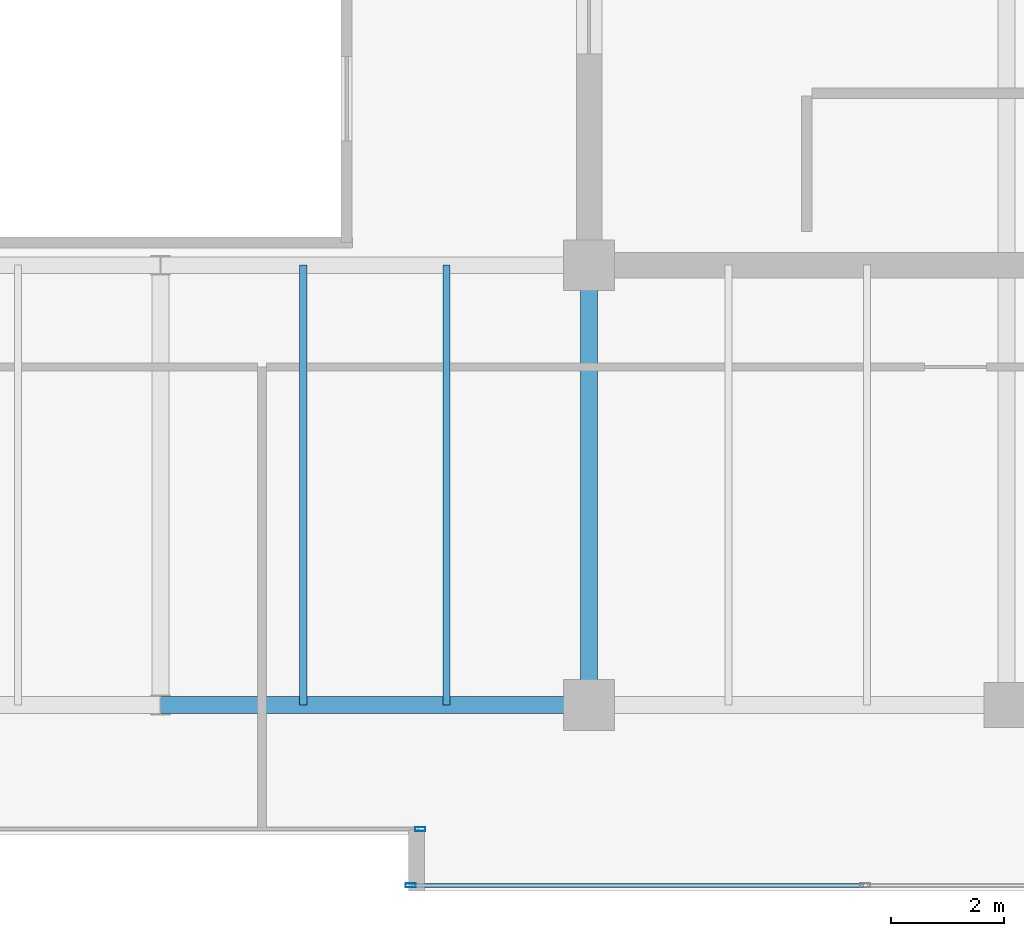
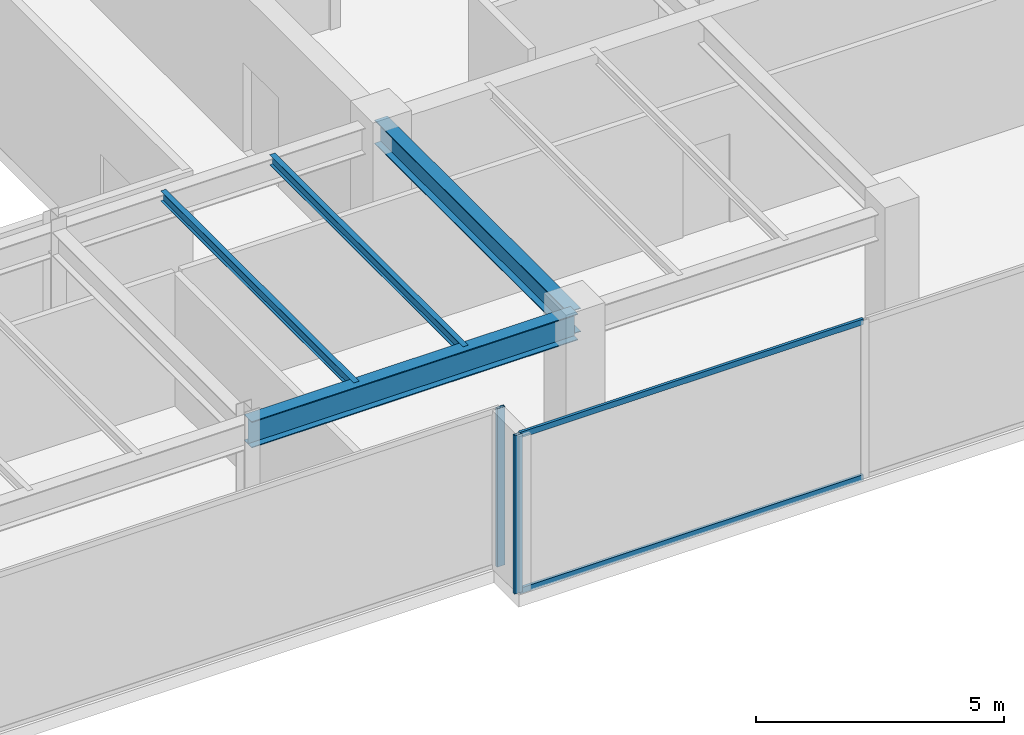
# One storey, part 12 of 31: 4 beams, 4 members, 2 elements without a shape of their own.
"""IFC4 building model written with IfcOpenShell, lengths in metres."""

from ifc_helpers import new_model, si_unit, direction, frame, origin, origin_2d, place, context, subcontext, project, spatial, hollow_rectangle, i_section, extrude, source, transform, mapped, material, layer, layer_set, material_profile, profile_set, type_object, type_shapes, element, aggregate, save


model = new_model("IFC4")

# Units and contexts
model_context = context("Model", 3, precision=1e-05, world=origin(), true_north=direction((0.0, 1.0)))
body_context = subcontext(model_context, "Body", "Model", "MODEL_VIEW")
ifc_project = project(units=[si_unit("LENGTHUNIT", "METRE"), si_unit("AREAUNIT", "SQUARE_METRE"), si_unit("VOLUMEUNIT", "CUBIC_METRE"), si_unit("PLANEANGLEUNIT", "RADIAN"), si_unit("MASSUNIT", "GRAM", prefix="KILO")], contexts=[model_context])

# Site, building, storey
site_placement = place(None, origin())
site = spatial("IfcSite", under=ifc_project, at=site_placement, CompositionType="ELEMENT")
building_placement = place(site_placement, origin())
building = spatial("IfcBuilding", under=site, at=building_placement, Name="Haelvirn Gate Laboratories", CompositionType="ELEMENT")
storey_placement = place(building_placement, frame((0.0, 0.0, 318.60009765625)))
storey = spatial("IfcBuildingStorey", under=building, at=storey_placement, Name="L76", CompositionType="ELEMENT", Elevation=318.60009765625)

# Beams
ifc_material_1 = material(Name="Steel SM355", Category="steel")
ifc_material_profile_1 = material_profile(ifc_material_1, i_section(OverallWidth=0.300048828125, OverallDepth=0.587890625, WebThickness=0.011962890625, FlangeThickness=0.02001953125, at=origin_2d()), Name="H-588x300x12x20")
ifc_profile_set_1 = profile_set([ifc_material_profile_1], Name="Steel SM355")
beam_type_1 = type_object("IfcBeamType", Name="BM-G-588", PredefinedType="BEAM", material=ifc_profile_set_1)
shared_shape_1 = source(origin(), body_context, "Body", "SweptSolid", [
    extrude(i_section(OverallWidth=0.300048828125, OverallDepth=0.587890625, WebThickness=0.011962890625, FlangeThickness=0.02001953125, at=origin_2d()), origin(), (0.0, 0.0, 1.0), 7.800048828125),
])
type_shapes(beam_type_1, [shared_shape_1])
beam_1_placement = place(storey_placement, frame((52.60009765625, 7.0, 3.60595703125), z_axis=(0.0, 1.0, 0.0), x_axis=(-1.0, 0.0, 0.0)))
element("IfcBeam", 1, at=beam_1_placement, inside=storey, type_object=beam_type_1, Name="L76 Frame Girder X52.6 (7.0-14.8)", PredefinedType="BEAM", context=body_context, shape_type="MappedRepresentation", body=[
    mapped(shared_shape_1, transform((0.0, 0.0, 0.0), scale=1.0)),
])
ifc_material_profile_2 = material_profile(ifc_material_1, i_section(OverallWidth=0.300048828125, OverallDepth=0.64990234375, WebThickness=0.012939453125, FlangeThickness=0.02197265625, at=origin_2d()), Name="H-650x300x13x22")
ifc_profile_set_2 = profile_set([ifc_material_profile_2], Name="Steel SM355")
beam_type_2 = type_object("IfcBeamType", Name="BM-G-650", PredefinedType="BEAM", material=ifc_profile_set_2)
shared_shape_2 = source(origin(), body_context, "Body", "SweptSolid", [
    extrude(i_section(OverallWidth=0.300048828125, OverallDepth=0.64990234375, WebThickness=0.012939453125, FlangeThickness=0.02197265625, at=origin_2d()), origin(), (0.0, 0.0, 1.0), 7.60009765625),
])
type_shapes(beam_type_2, [shared_shape_2])
beam_2_placement = place(storey_placement, frame((45.0, 7.0, 3.574951171875), z_axis=(1.0, 0.0, 0.0), x_axis=(0.0, 1.0, 0.0)))
element("IfcBeam", 2, at=beam_2_placement, inside=storey, type_object=beam_type_2, Name="L76 Primary Girder Y7.0 (45.0-52.6)", PredefinedType="BEAM", context=body_context, shape_type="MappedRepresentation", body=[
    mapped(shared_shape_2, transform((0.0, 0.0, 0.0), scale=1.0)),
])
ifc_material_profile_3 = material_profile(ifc_material_1, i_section(OverallWidth=0.125, OverallDepth=0.25, WebThickness=0.006103515625, FlangeThickness=0.009033203125, at=origin_2d()), Name="H-250x125x6x9")
ifc_profile_set_3 = profile_set([ifc_material_profile_3], Name="Steel SM355")
beam_type_3 = type_object("IfcBeamType", Name="BM-J-250", PredefinedType="JOIST", material=ifc_profile_set_3)
shared_shape_3 = source(origin(), body_context, "Body", "SweptSolid", [
    extrude(i_section(OverallWidth=0.125, OverallDepth=0.25, WebThickness=0.006103515625, FlangeThickness=0.009033203125, at=origin_2d()), origin(), (0.0, 0.0, 1.0), 7.800048828125),
])
type_shapes(beam_type_3, [shared_shape_3])
for number, where, z_axis, x_axis, name in (
    (3, (47.530029296875, 7.0, 3.77490234375), (0.0, 1.0, 0.0), (-1.0, 0.0, 0.0), "L76 Composite Lab Joist South X47.53"),
    (4, (50.070068359375, 7.0, 3.77490234375), (0.0, 1.0, 0.0), (-1.0, 0.0, 0.0), "L76 Composite Lab Joist South X50.07"),
):
    element("IfcBeam", number, at=place(storey_placement, frame(where, z_axis=z_axis, x_axis=x_axis)), inside=storey, type_object=beam_type_3, Name=name, PredefinedType="JOIST", context=body_context, shape_type="MappedRepresentation", body=[
        mapped(shared_shape_3, transform((0.0, 0.0, 0.0), scale=1.0)),
    ])

# Curtain wall, member
ifc_material_2 = material(Name="Anodised bronze unitised aluminium & triple low-E glass", Category="aluminium")
ifc_layer = layer(ifc_material_2, 0.176025390625, Name="CW-SYS-4")
ifc_layer_set = layer_set([ifc_layer], Name="Anodised bronze unitised aluminium & triple low-E glass")
curtain_wall_type = type_object("IfcCurtainWallType", Name="CW-SYS-4", PredefinedType="NOTDEFINED", material=ifc_layer_set)
curtain_wall_1_placement = place(storey_placement, origin())
curtain_wall_1 = element("IfcCurtainWall", 5, at=curtain_wall_1_placement, inside=storey, type_object=curtain_wall_type, Name="L76 Unitised Curtain Wall CW-L76-P0-E02-1", PredefinedType="NOTDEFINED")
ifc_material_3 = material(Name="Extruded aluminium 6063-T6 (anodised bronze)", Category="aluminium")
ifc_material_profile_4 = material_profile(ifc_material_3, hollow_rectangle(XDim=0.070068359375, YDim=0.179931640625, WallThickness=0.0048828125, at=origin_2d()), Name="CWM-180x70x5")
ifc_profile_set_4 = profile_set([ifc_material_profile_4], Name="Extruded aluminium 6063-T6 (anodised bronze)")
member_type_1 = type_object("IfcMemberType", Name="CWM-T180", PredefinedType="MULLION", material=ifc_profile_set_4)
shared_shape_4 = source(origin(), body_context, "Body", "SweptSolid", [
    extrude(hollow_rectangle(XDim=0.070068359375, YDim=0.179931640625, WallThickness=0.0048828125, at=origin_2d()), origin(), (0.0, 0.0, 1.0), 3.89990234375),
])
type_shapes(member_type_1, [shared_shape_4])
member_1_placement = place(storey_placement, frame((49.60498046875, 4.800048828125, 0.0), z_axis=(0.0, 0.0, 1.0), x_axis=(0.0, 1.0, 0.0)))
member_1 = element("IfcMember", 6, at=member_1_placement, type_object=member_type_1, Name="CW4 mullion 3", PredefinedType="MULLION", context=body_context, shape_type="MappedRepresentation", body=[
    mapped(shared_shape_4, transform((0.0, 0.0, 0.0), scale=1.0)),
])
aggregate(curtain_wall_1, [member_1])

# Curtain wall, members
curtain_wall_2_placement = place(storey_placement, origin())
curtain_wall_2 = element("IfcCurtainWall", 7, at=curtain_wall_2_placement, inside=storey, type_object=curtain_wall_type, Name="L76 Unitised Curtain Wall CW-L76-P0-E04-1", PredefinedType="NOTDEFINED")
member_2_placement = place(storey_placement, frame((49.43505859375, 3.800048828125, 0.0), z_axis=(0.0, 0.0, 1.0), x_axis=(0.0, 1.0, 0.0)))
member_2 = element("IfcMember", 8, at=member_2_placement, type_object=member_type_1, Name="CW4 mullion 1", PredefinedType="MULLION", context=body_context, shape_type="MappedRepresentation", body=[
    mapped(shared_shape_4, transform((0.0, 0.0, 0.0), scale=1.0)),
])
ifc_material_profile_5 = material_profile(ifc_material_3, hollow_rectangle(XDim=0.06494140625, YDim=0.139892578125, WallThickness=0.00390625, at=origin_2d()), Name="CWT-140x65x4")
ifc_profile_set_5 = profile_set([ifc_material_profile_5], Name="Extruded aluminium 6063-T6 (anodised bronze)")
member_type_2 = type_object("IfcMemberType", Name="CWT-T140", PredefinedType="USERDEFINED", material=ifc_profile_set_5)
shared_shape_5 = source(origin(), body_context, "Body", "SweptSolid", [
    extrude(hollow_rectangle(XDim=0.06494140625, YDim=0.139892578125, WallThickness=0.00390625, at=origin_2d()), origin(), (0.0, 0.0, 1.0), 7.9951171875),
])
type_shapes(member_type_2, [shared_shape_5])
member_3_placement = place(storey_placement, frame((49.469970703125, 3.800048828125, 0.032470703125), z_axis=(1.0, 0.0, 0.0), x_axis=(0.0, 1.0, 0.0)))
member_3 = element("IfcMember", 9, at=member_3_placement, type_object=member_type_2, Name="CW4 transom 1.1", ObjectType="TRANSOM", PredefinedType="USERDEFINED", context=body_context, shape_type="MappedRepresentation", body=[
    mapped(shared_shape_5, transform((0.0, 0.0, 0.0), scale=1.0)),
])
member_4_placement = place(storey_placement, frame((49.469970703125, 3.800048828125, 3.867431640625), z_axis=(1.0, 0.0, 0.0), x_axis=(0.0, 1.0, 0.0)))
member_4 = element("IfcMember", 10, at=member_4_placement, type_object=member_type_2, Name="CW4 transom 1.2", ObjectType="TRANSOM", PredefinedType="USERDEFINED", context=body_context, shape_type="MappedRepresentation", body=[
    mapped(shared_shape_5, transform((0.0, 0.0, 0.0), scale=1.0)),
])
aggregate(curtain_wall_2, [member_2, member_3, member_4])

save(model, "model.ifc")
